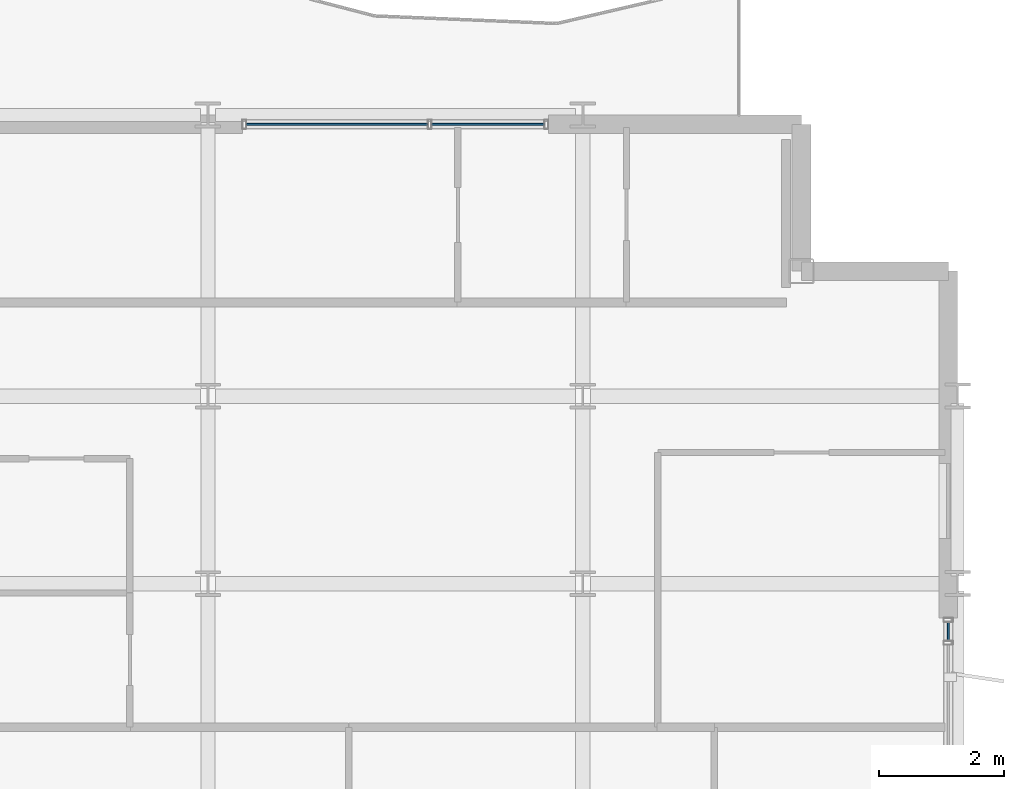
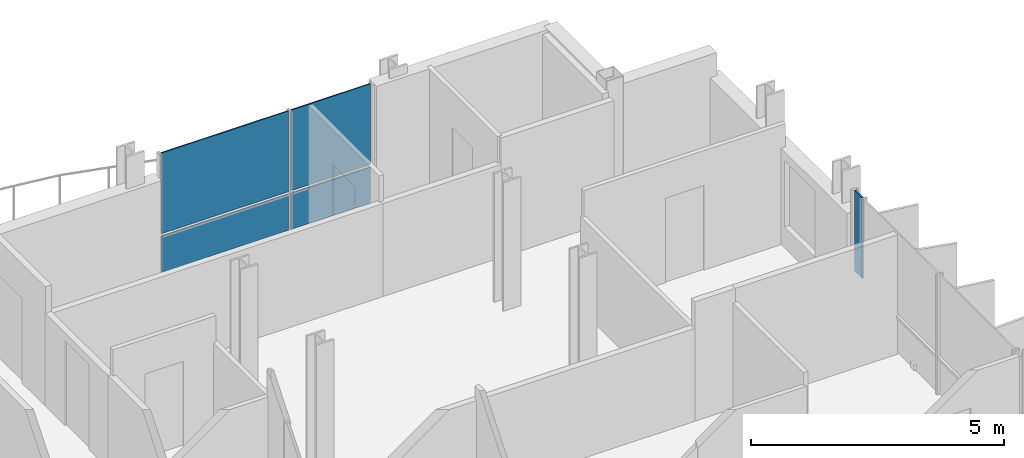
# One storey, part 26 of 38: 5 plates, 2 elements without a shape of their own.
"""IFC4 building model written with IfcOpenShell, lengths in metres."""

from ifc_helpers import new_model, si_unit, direction, frame, origin, origin_2d, place, context, subcontext, project, spatial, rectangle, extrude, material, layer, layer_set, type_object, element, aggregate, save


model = new_model("IFC4")

# Units and contexts
model_context = context("Model", 3, precision=1e-05, world=origin(), true_north=direction((0.0, 1.0)))
body_context = subcontext(model_context, "Body", "Model", "MODEL_VIEW")
ifc_project = project(units=[si_unit("LENGTHUNIT", "METRE"), si_unit("AREAUNIT", "SQUARE_METRE"), si_unit("VOLUMEUNIT", "CUBIC_METRE"), si_unit("PLANEANGLEUNIT", "RADIAN"), si_unit("MASSUNIT", "GRAM", prefix="KILO")], contexts=[model_context])

# Site, building, storey
site_placement = place(None, origin())
site = spatial("IfcSite", under=ifc_project, at=site_placement, CompositionType="ELEMENT")
building_placement = place(site_placement, origin())
building = spatial("IfcBuilding", under=site, at=building_placement, Name="Brevholm Reach", CompositionType="ELEMENT")
storey_placement = place(building_placement, frame((0.0, 0.0, 141.800048828125)))
storey = spatial("IfcBuildingStorey", under=building, at=storey_placement, Name="L42", CompositionType="ELEMENT", Elevation=141.800048828125)

# Curtain wall, plate
ifc_material_1 = material(Name="Dark Anodised Aluminium 6063-T6 and Solar-Control Glass", Category="aluminium")
ifc_layer_1 = layer(ifc_material_1, 0.14990234375)
ifc_layer_set_1 = layer_set([ifc_layer_1], Name="Dark Anodised Aluminium 6063-T6 and Solar-Control Glass")
curtain_wall_type = type_object("IfcCurtainWallType", Name="CW-01", PredefinedType="NOTDEFINED", material=ifc_layer_set_1)
curtain_wall_1_placement = place(storey_placement, origin())
curtain_wall_1 = element("IfcCurtainWall", 1, at=curtain_wall_1_placement, inside=storey, type_object=curtain_wall_type, Name="L42 Curtain Wall CW-01", PredefinedType="NOTDEFINED")
ifc_material_2 = material(Name="Dark Solar-Control Double-Glazed IGU Glass", Category="glass")
ifc_layer_2 = layer(ifc_material_2, 0.028076171875)
ifc_layer_set_2 = layer_set([ifc_layer_2], Name="Dark Solar-Control Double-Glazed IGU Glass")
plate_type = type_object("IfcPlateType", Name="CWP-GLZ-28", PredefinedType="CURTAIN_PANEL", material=ifc_layer_set_2)
plate_1_placement = place(storey_placement, frame((59.85009765625, 22.733642578125, 0.9326171875), z_axis=(0.0, 0.0, 1.0), x_axis=(0.0, 1.0, 0.0)))
plate_1 = element("IfcPlate", 2, at=plate_1_placement, type_object=plate_type, Name="CP-01 Glazing Panel 5.2", PredefinedType="CURTAIN_PANEL", context=body_context, shape_type="SweptSolid", body=[
    extrude(rectangle(XDim=0.302490234375, YDim=0.028076171875, at=origin_2d()), origin(), (0.0, 0.0, 1.0), 1.947509765625),
])
aggregate(curtain_wall_1, [plate_1])

# Curtain wall, plates
curtain_wall_2_placement = place(storey_placement, origin())
curtain_wall_2 = element("IfcCurtainWall", 3, at=curtain_wall_2_placement, inside=storey, type_object=curtain_wall_type, Name="L42 Curtain Wall CW-01", PredefinedType="NOTDEFINED")
plate_2_placement = place(storey_placement, frame((50.066162109375, 30.85009765625, 0.0), z_axis=(0.0, 0.0, 1.0), x_axis=(1.0, 0.0, 0.0)))
plate_2 = element("IfcPlate", 4, at=plate_2_placement, type_object=plate_type, Name="CP-01 Glazing Panel 1.1", PredefinedType="CURTAIN_PANEL", context=body_context, shape_type="SweptSolid", body=[
    extrude(rectangle(XDim=2.902587890625, YDim=0.028076171875, at=origin_2d()), origin(), (0.0, 0.0, 1.0), 0.867431640625),
])
plate_3_placement = place(storey_placement, frame((50.066162109375, 30.85009765625, 0.9326171875), z_axis=(0.0, 0.0, 1.0), x_axis=(1.0, 0.0, 0.0)))
plate_3 = element("IfcPlate", 5, at=plate_3_placement, type_object=plate_type, Name="CP-01 Glazing Panel 1.2", PredefinedType="CURTAIN_PANEL", context=body_context, shape_type="SweptSolid", body=[
    extrude(rectangle(XDim=2.902587890625, YDim=0.028076171875, at=origin_2d()), origin(), (0.0, 0.0, 1.0), 1.947509765625),
])
plate_4_placement = place(storey_placement, frame((52.483642578125, 30.85009765625, 0.0), z_axis=(0.0, 0.0, 1.0), x_axis=(1.0, 0.0, 0.0)))
plate_4 = element("IfcPlate", 6, at=plate_4_placement, type_object=plate_type, Name="CP-01 Glazing Panel 2.1", PredefinedType="CURTAIN_PANEL", context=body_context, shape_type="SweptSolid", body=[
    extrude(rectangle(XDim=1.802490234375, YDim=0.028076171875, at=origin_2d()), origin(), (0.0, 0.0, 1.0), 0.867431640625),
])
plate_5_placement = place(storey_placement, frame((52.483642578125, 30.85009765625, 0.9326171875), z_axis=(0.0, 0.0, 1.0), x_axis=(1.0, 0.0, 0.0)))
plate_5 = element("IfcPlate", 7, at=plate_5_placement, type_object=plate_type, Name="CP-01 Glazing Panel 2.2", PredefinedType="CURTAIN_PANEL", context=body_context, shape_type="SweptSolid", body=[
    extrude(rectangle(XDim=1.802490234375, YDim=0.028076171875, at=origin_2d()), origin(), (0.0, 0.0, 1.0), 1.947509765625),
])
aggregate(curtain_wall_2, [plate_2, plate_3, plate_4, plate_5])

save(model, "model.ifc")
